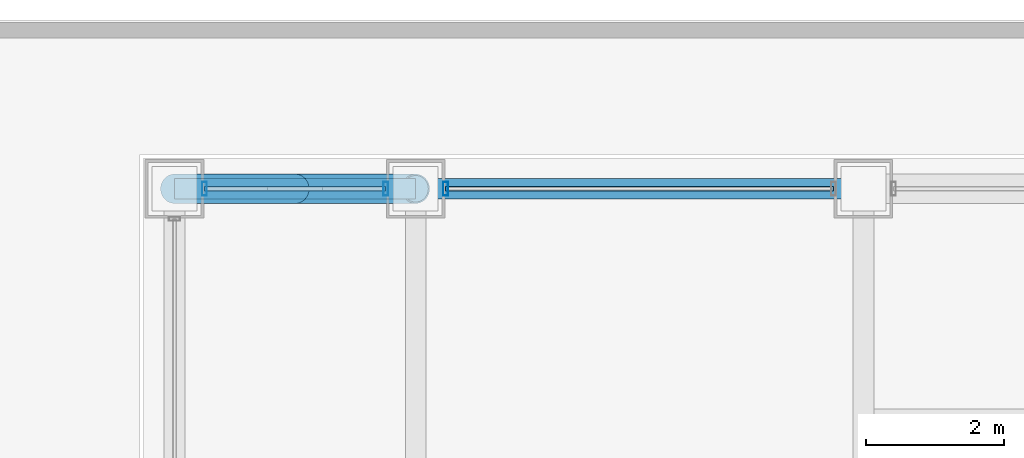
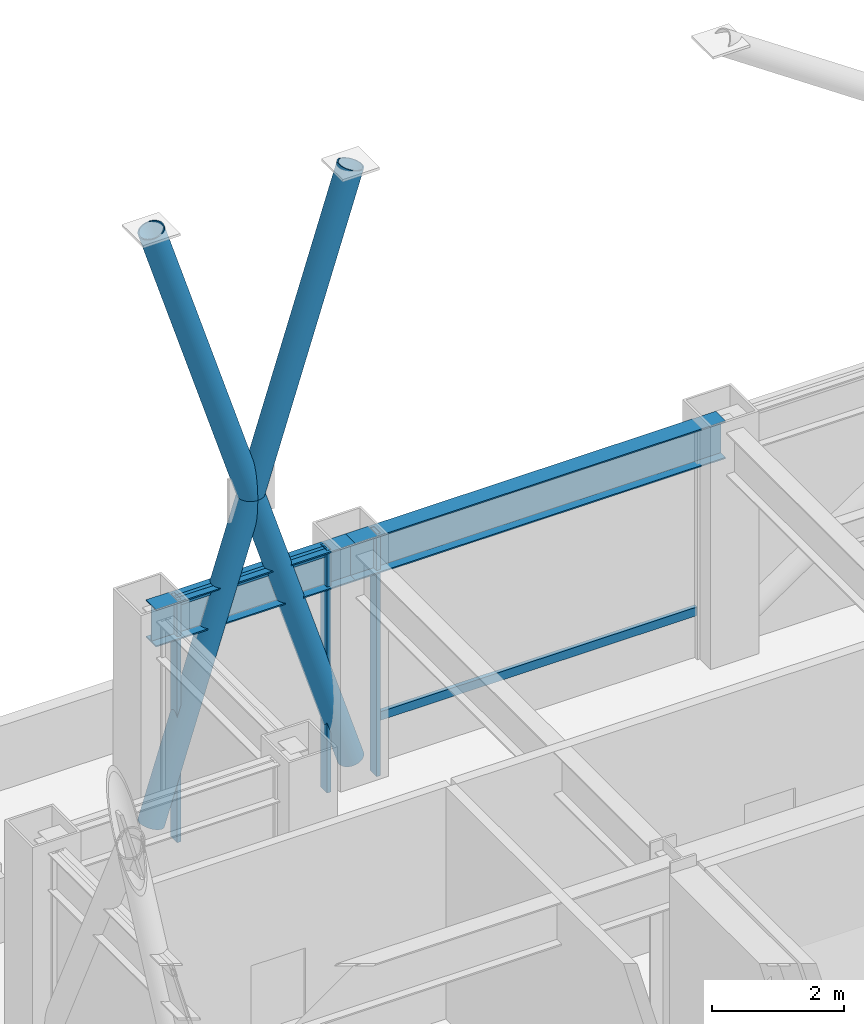
# One storey, part 20 of 32: 8 members, 2 beams, 2 elements without a shape of their own.
"""IFC4 building model written with IfcOpenShell, lengths in metres."""

from ifc_helpers import new_model, si_unit, direction, frame, origin, origin_2d, place, context, subcontext, project, spatial, hollow_rectangle, hollow_circle, i_section, extrude, material, layer, layer_set, material_profile, profile_set, type_object, element, aggregate, save


model = new_model("IFC4")

# Units and contexts
model_context = context("Model", 3, precision=1e-05, world=origin(), true_north=direction((0.0, 1.0)))
body_context = subcontext(model_context, "Body", "Model", "MODEL_VIEW")
ifc_project = project(units=[si_unit("LENGTHUNIT", "METRE"), si_unit("AREAUNIT", "SQUARE_METRE"), si_unit("VOLUMEUNIT", "CUBIC_METRE"), si_unit("PLANEANGLEUNIT", "RADIAN"), si_unit("MASSUNIT", "GRAM", prefix="KILO")], contexts=[model_context])

# Site, building, storey
site_placement = place(None, origin())
site = spatial("IfcSite", under=ifc_project, at=site_placement, CompositionType="ELEMENT")
building_placement = place(site_placement, origin())
building = spatial("IfcBuilding", under=site, at=building_placement, Name="Brelmoor Portico Tower", CompositionType="ELEMENT")
storey_placement = place(building_placement, frame((0.0, 0.0, 87.300048828125)))
storey = spatial("IfcBuildingStorey", under=building, at=storey_placement, Name="L22", CompositionType="ELEMENT", Elevation=87.300048828125)

# Beams
ifc_material_1 = material(Name="Steel Q355B", Category="steel")
ifc_material_profile_1 = material_profile(ifc_material_1, i_section(OverallWidth=0.300048828125, OverallDepth=0.699951171875, WebThickness=0.012939453125, FlangeThickness=0.02392578125, at=origin_2d()), Name="HN 700x300x13x24")
ifc_profile_set_1 = profile_set([ifc_material_profile_1], Name="Steel Q355B")
beam_type = type_object("IfcBeamType", Name="BM-SP-700", PredefinedType="SPANDREL", material=ifc_profile_set_1)
beam_1_placement = place(storey_placement, frame((-18.050048828125, 19.550048828125, 3.949951171875), z_axis=(1.0, 0.0, 0.0), x_axis=(0.0, 1.0, 0.0)))
element("IfcBeam", 1, at=beam_1_placement, inside=storey, type_object=beam_type, Name="L22 Perimeter Spandrel Beam SP-10", PredefinedType="SPANDREL", context=body_context, shape_type="SweptSolid", body=[
    extrude(i_section(OverallWidth=0.300048828125, OverallDepth=0.699951171875, WebThickness=0.012939453125, FlangeThickness=0.02392578125, at=origin_2d()), origin(), (0.0, 0.0, 1.0), 3.5),
])
beam_2_placement = place(storey_placement, frame((-14.550048828125, 19.550048828125, 3.949951171875), z_axis=(1.0, 0.0, 0.0), x_axis=(0.0, 1.0, 0.0)))
element("IfcBeam", 2, at=beam_2_placement, inside=storey, type_object=beam_type, Name="L22 Perimeter Spandrel Beam SP-11", PredefinedType="SPANDREL", context=body_context, shape_type="SweptSolid", body=[
    extrude(i_section(OverallWidth=0.300048828125, OverallDepth=0.699951171875, WebThickness=0.012939453125, FlangeThickness=0.02392578125, at=origin_2d()), origin(), (0.0, 0.0, 1.0), 6.5),
])

# Members
ifc_material_profile_2 = material_profile(ifc_material_1, hollow_circle(Radius=0.212890625, WallThickness=0.02001953125, at=origin_2d()), Name="CHS 426x20")
ifc_profile_set_2 = profile_set([ifc_material_profile_2], Name="Steel Q355B")
member_type_1 = type_object("IfcMemberType", Name="MB-BELT-DIAG1", PredefinedType="BRACE", material=ifc_profile_set_2)
member_1_placement = place(storey_placement, frame((-18.050048828125, 19.550048828125, 0.25), z_axis=(0.303203657277, 0.0, 0.952925780013), x_axis=(0.0, 1.0, 0.0)))
element("IfcMember", 3, at=member_1_placement, inside=storey, type_object=member_type_1, Name="L22 Continuous Mega-X Brace 044A", PredefinedType="BRACE", context=body_context, shape_type="SweptSolid", body=[
    extrude(hollow_circle(Radius=0.212890625, WallThickness=0.02001953125, at=origin_2d()), origin(), (0.0, 0.0, 1.0), 11.54345703125),
])
for number, where, z_axis, x_axis, name in (
    (4, (-14.550048828125, 19.550048828125, 0.25), (-0.303203657277, 0.0, 0.952925780013), (0.0, -1.0, 0.0), "L22 Split Mega-X Brace 044B1"),
    (5, (-16.300048828125, 19.550048828125, 5.75), (-0.303203657277, 0.0, 0.952925780013), (0.0, -1.0, 0.0), "L22 Split Mega-X Brace 044B2"),
):
    element("IfcMember", number, at=place(storey_placement, frame(where, z_axis=z_axis, x_axis=x_axis)), inside=storey, type_object=member_type_1, Name=name, PredefinedType="BRACE", context=body_context, shape_type="SweptSolid", body=[
        extrude(hollow_circle(Radius=0.212890625, WallThickness=0.02001953125, at=origin_2d()), origin(), (0.0, 0.0, 1.0), 5.771728515625),
    ])

# Curtain wall, members
ifc_material_2 = material(Name="Anodised Aluminium Alloy 6063-T6", Category="aluminium")
ifc_layer_1 = layer(ifc_material_2, 0.179931640625)
ifc_layer_set_1 = layer_set([ifc_layer_1], Name="Anodised Aluminium Alloy 6063-T6")
curtain_wall_type_1 = type_object("IfcCurtainWallType", Name="CW-SKYLOBBY-XB", PredefinedType="NOTDEFINED", material=ifc_layer_set_1)
curtain_wall_1_placement = place(storey_placement, origin())
curtain_wall_1 = element("IfcCurtainWall", 6, at=curtain_wall_1_placement, inside=storey, type_object=curtain_wall_type_1, Name="L22 Curtain Wall CW-L22-02-1", PredefinedType="NOTDEFINED")
ifc_material_profile_3 = material_profile(ifc_material_2, hollow_rectangle(XDim=0.070068359375, YDim=0.199951171875, WallThickness=0.00439453125, at=origin_2d()), Name="ALU MULLION 70x200")
ifc_profile_set_3 = profile_set([ifc_material_profile_3], Name="Anodised Aluminium Alloy 6063-T6")
member_type_2 = type_object("IfcMemberType", Name="MB-CW-MULL-200", PredefinedType="MULLION", material=ifc_profile_set_3)
member_2_placement = place(storey_placement, frame((-17.614990234375, 19.550048828125, -0.199951171875), z_axis=(0.0, 0.0, 1.0), x_axis=(1.0, 0.0, 0.0)))
member_2 = element("IfcMember", 7, at=member_2_placement, type_object=member_type_2, Name="CW-L22-02-1 Mullion 00", PredefinedType="MULLION", context=body_context, shape_type="SweptSolid", body=[
    extrude(hollow_rectangle(XDim=0.070068359375, YDim=0.199951171875, WallThickness=0.00439453125, at=origin_2d()), origin(), (0.0, 0.0, 1.0), 4.5),
])
member_3_placement = place(storey_placement, frame((-14.985107421875, 19.550048828125, -0.199951171875), z_axis=(0.0, 0.0, 1.0), x_axis=(1.0, 0.0, 0.0)))
member_3 = element("IfcMember", 8, at=member_3_placement, type_object=member_type_2, Name="CW-L22-02-1 Mullion 01", PredefinedType="MULLION", context=body_context, shape_type="SweptSolid", body=[
    extrude(hollow_rectangle(XDim=0.070068359375, YDim=0.199951171875, WallThickness=0.00439453125, at=origin_2d()), origin(), (0.0, 0.0, 1.0), 4.5),
])

# Curtain wall, member
ifc_layer_2 = layer(ifc_material_2, 0.179931640625)
ifc_layer_set_2 = layer_set([ifc_layer_2], Name="Anodised Aluminium Alloy 6063-T6")
curtain_wall_type_2 = type_object("IfcCurtainWallType", Name="CW-SKYLOBBY", PredefinedType="NOTDEFINED", material=ifc_layer_set_2)
curtain_wall_2_placement = place(storey_placement, origin())
curtain_wall_2 = element("IfcCurtainWall", 9, at=curtain_wall_2_placement, inside=storey, type_object=curtain_wall_type_2, Name="L22 Curtain Wall CW-L22-02-2", PredefinedType="NOTDEFINED")
member_4_placement = place(storey_placement, frame((-14.114990234375, 19.550048828125, -0.199951171875), z_axis=(0.0, 0.0, 1.0), x_axis=(1.0, 0.0, 0.0)))
member_4 = element("IfcMember", 10, at=member_4_placement, type_object=member_type_2, Name="CW-L22-02-2 Mullion 00", PredefinedType="MULLION", context=body_context, shape_type="SweptSolid", body=[
    extrude(hollow_rectangle(XDim=0.070068359375, YDim=0.199951171875, WallThickness=0.00439453125, at=origin_2d()), origin(), (0.0, 0.0, 1.0), 4.5),
])

# Member
ifc_material_profile_4 = material_profile(ifc_material_2, hollow_rectangle(XDim=0.070068359375, YDim=0.159912109375, WallThickness=0.00390625, at=origin_2d()), Name="ALU TRANSOM 70x160")
ifc_profile_set_4 = profile_set([ifc_material_profile_4], Name="Anodised Aluminium Alloy 6063-T6")
member_type_3 = type_object("IfcMemberType", Name="MB-CW-TRAN-160", PredefinedType="USERDEFINED", material=ifc_profile_set_4)
member_5_placement = place(storey_placement, frame((-17.614990234375, 19.550048828125, 4.219970703125), z_axis=(1.0, 0.0, 0.0), x_axis=(0.0, 1.0, 0.0)))
member_5 = element("IfcMember", 11, at=member_5_placement, type_object=member_type_3, Name="CW-L22-02-1 Transom 1-00", ObjectType="TRANSOM", PredefinedType="USERDEFINED", context=body_context, shape_type="SweptSolid", body=[
    extrude(hollow_rectangle(XDim=0.070068359375, YDim=0.159912109375, WallThickness=0.00390625, at=origin_2d()), origin(), (0.0, 0.0, 1.0), 2.6298828125),
])

aggregate(curtain_wall_1, [member_2, member_3, member_5])

member_6_placement = place(storey_placement, frame((-14.114990234375, 19.550048828125, 0.849853515625), z_axis=(1.0, 0.0, 0.0), x_axis=(0.0, 1.0, 0.0)))
member_6 = element("IfcMember", 12, at=member_6_placement, type_object=member_type_3, Name="CW-L22-02-2 Transom 1-00", ObjectType="TRANSOM", PredefinedType="USERDEFINED", context=body_context, shape_type="SweptSolid", body=[
    extrude(hollow_rectangle(XDim=0.070068359375, YDim=0.159912109375, WallThickness=0.00390625, at=origin_2d()), origin(), (0.0, 0.0, 1.0), 5.6298828125),
])

aggregate(curtain_wall_2, [member_4, member_6])

save(model, "model.ifc")
